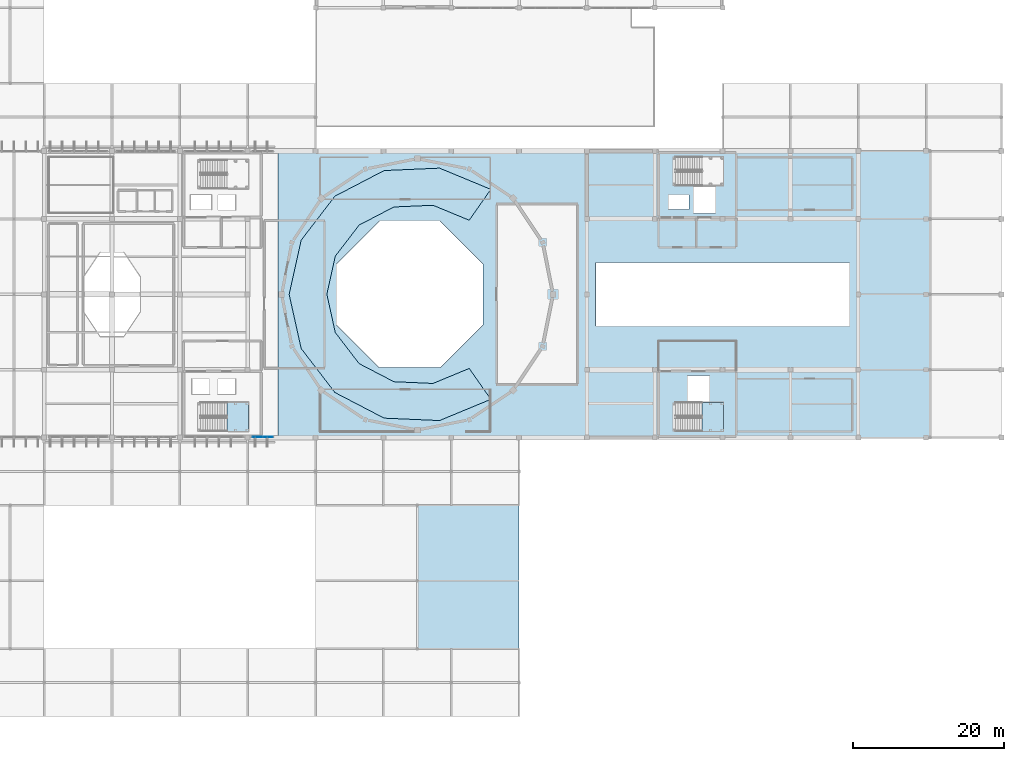
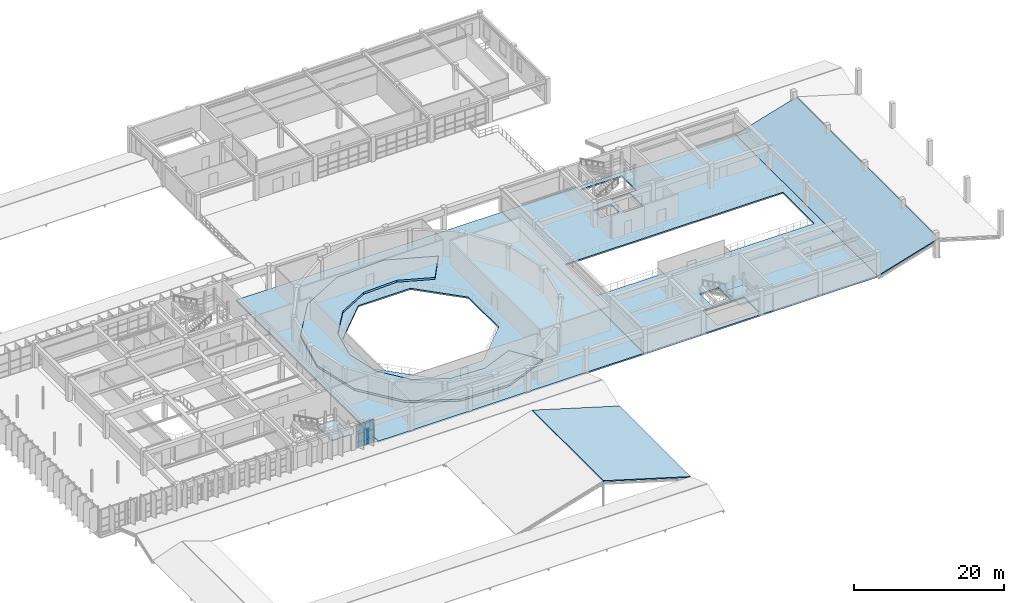
# One storey, part 62 of 80: 7 slabs, 6 plates, 3 elements without a shape of their own.
"""IFC4 building model written with IfcOpenShell, lengths in metres."""

from ifc_helpers import new_model, si_unit, direction, frame, origin, origin_2d, place, context, subcontext, project, spatial, polyline, rectangle, outline, extrude, material, layer, layer_set, type_object, element, aggregate, save


model = new_model("IFC4")

# Units and contexts
model_context = context("Model", 3, precision=1e-05, world=origin(), true_north=direction((0.0, 1.0)))
body_context = subcontext(model_context, "Body", "Model", "MODEL_VIEW")
ifc_project = project(units=[si_unit("LENGTHUNIT", "METRE"), si_unit("AREAUNIT", "SQUARE_METRE"), si_unit("VOLUMEUNIT", "CUBIC_METRE"), si_unit("PLANEANGLEUNIT", "RADIAN"), si_unit("MASSUNIT", "GRAM", prefix="KILO")], contexts=[model_context])

# Site, building, storey
site_placement = place(None, origin())
site = spatial("IfcSite", under=ifc_project, at=site_placement, CompositionType="ELEMENT")
building_placement = place(site_placement, origin())
building = spatial("IfcBuilding", under=site, at=building_placement, Name="Miravela Opera House", CompositionType="ELEMENT")
storey_placement = place(building_placement, frame((0.0, 0.0, 17.679931640625)))
storey = spatial("IfcBuildingStorey", under=building, at=storey_placement, Name="L04", CompositionType="ELEMENT", Elevation=17.679931640625)

# Curtain wall, plates
ifc_material_1 = material(Name="Anodised architectural bronze aluminium 6063-T6", Category="aluminium")
curtain_wall_type = type_object("IfcCurtainWallType", Name="ARC-CW-02", PredefinedType="NOTDEFINED", material=ifc_material_1)
curtain_wall_placement = place(storey_placement, origin())
curtain_wall = element("IfcCurtainWall", 1, at=curtain_wall_placement, inside=storey, type_object=curtain_wall_type, Name="Auditorium South Wrapper Glazing CW-L04-046", PredefinedType="NOTDEFINED")
ifc_material_2 = material(Name="Triple-glazed acoustic laminated low-E glass", Category="glass")
ifc_layer_1 = layer(ifc_material_2, 0.035888671875)
ifc_layer_set_1 = layer_set([ifc_layer_1])
plate_type = type_object("IfcPlateType", Name="ARC-CWP-36", PredefinedType="CURTAIN_PANEL", material=ifc_layer_set_1)
plate_1_placement = place(storey_placement, frame((55.30615234375, 37.080078125, 0.06494140625), z_axis=(0.0, 0.0, 1.0), x_axis=(1.0, 0.0, 0.0)))
plate_1 = element("IfcPlate", 2, at=plate_1_placement, type_object=plate_type, Name="CW-02 panel 1.1", PredefinedType="CURTAIN_PANEL", context=body_context, shape_type="SweptSolid", body=[
    extrude(rectangle(XDim=1.322509765625, YDim=0.035888671875, at=origin_2d()), origin(), (0.0, 0.0, 1.0), 0.8525390625),
])
plate_2_placement = place(storey_placement, frame((55.30615234375, 37.080078125, 0.982421875), z_axis=(0.0, 0.0, 1.0), x_axis=(1.0, 0.0, 0.0)))
plate_2 = element("IfcPlate", 3, at=plate_2_placement, type_object=plate_type, Name="CW-02 panel 1.2", PredefinedType="CURTAIN_PANEL", context=body_context, shape_type="SweptSolid", body=[
    extrude(rectangle(XDim=1.322509765625, YDim=0.035888671875, at=origin_2d()), origin(), (0.0, 0.0, 1.0), 1.20068359375),
])
plate_3_placement = place(storey_placement, frame((55.30615234375, 37.080078125, 2.248291015625), z_axis=(0.0, 0.0, 1.0), x_axis=(1.0, 0.0, 0.0)))
plate_3 = element("IfcPlate", 4, at=plate_3_placement, type_object=plate_type, Name="CW-02 panel 1.3", PredefinedType="CURTAIN_PANEL", context=body_context, shape_type="SweptSolid", body=[
    extrude(rectangle(XDim=1.322509765625, YDim=0.035888671875, at=origin_2d()), origin(), (0.0, 0.0, 1.0), 1.5068359375),
])
plate_4_placement = place(storey_placement, frame((56.69384765625, 37.080078125, 0.06494140625), z_axis=(0.0, 0.0, 1.0), x_axis=(1.0, 0.0, 0.0)))
plate_4 = element("IfcPlate", 5, at=plate_4_placement, type_object=plate_type, Name="CW-02 panel 2.1", PredefinedType="CURTAIN_PANEL", context=body_context, shape_type="SweptSolid", body=[
    extrude(rectangle(XDim=1.322509765625, YDim=0.035888671875, at=origin_2d()), origin(), (0.0, 0.0, 1.0), 0.8525390625),
])
plate_5_placement = place(storey_placement, frame((56.69384765625, 37.080078125, 0.982421875), z_axis=(0.0, 0.0, 1.0), x_axis=(1.0, 0.0, 0.0)))
plate_5 = element("IfcPlate", 6, at=plate_5_placement, type_object=plate_type, Name="CW-02 panel 2.2", PredefinedType="CURTAIN_PANEL", context=body_context, shape_type="SweptSolid", body=[
    extrude(rectangle(XDim=1.322509765625, YDim=0.035888671875, at=origin_2d()), origin(), (0.0, 0.0, 1.0), 1.20068359375),
])
plate_6_placement = place(storey_placement, frame((56.69384765625, 37.080078125, 2.248291015625), z_axis=(0.0, 0.0, 1.0), x_axis=(1.0, 0.0, 0.0)))
plate_6 = element("IfcPlate", 7, at=plate_6_placement, type_object=plate_type, Name="CW-02 panel 2.3", PredefinedType="CURTAIN_PANEL", context=body_context, shape_type="SweptSolid", body=[
    extrude(rectangle(XDim=1.322509765625, YDim=0.035888671875, at=origin_2d()), origin(), (0.0, 0.0, 1.0), 1.5068359375),
])
aggregate(curtain_wall, [plate_1, plate_2, plate_3, plate_4, plate_5, plate_6])

# Stair, slab
ifc_material_3 = material(Name="Concrete C35/45", Category="concrete")
stair_type = type_object("IfcStairType", Name="ARC-STAIR-CORE-1680", PredefinedType="HALF_TURN_STAIR", material=ifc_material_3)
stair_1_placement = place(storey_placement, origin())
stair_1 = element("IfcStair", 8, at=stair_1_placement, inside=storey, type_object=stair_type, Name="L04 Core K2 South Foyer Core Exit Stair ST-02", PredefinedType="HALF_TURN_STAIR")
ifc_layer_2 = layer(ifc_material_3, 0.199951171875)
ifc_layer_set_2 = layer_set([ifc_layer_2])
slab_type_1 = type_object("IfcSlabType", Name="ARC-LANDING-200", PredefinedType="LANDING", material=ifc_layer_set_2)
slab_1_placement = place(storey_placement, frame((0.0, 0.0, 1.840087890625)))
slab_1 = element("IfcSlab", 9, at=slab_1_placement, type_object=slab_type_1, Name="ST-02 landing 1", PredefinedType="LANDING", context=body_context, shape_type="SweptSolid", body=[
    extrude(outline(polyline([(51.260009765625, 37.800048828125), (54.10009765625, 37.800048828125), (54.10009765625, 41.679931640625), (51.260009765625, 41.679931640625), (51.260009765625, 37.800048828125)])), origin(), (0.0, 0.0, 1.0), 0.199951171875),
])
aggregate(stair_1, [slab_1])

stair_2_placement = place(storey_placement, origin())
stair_2 = element("IfcStair", 10, at=stair_2_placement, inside=storey, type_object=stair_type, Name="L04 Core K4 South Stage Core Exit Stair ST-04", PredefinedType="HALF_TURN_STAIR")
slab_2_placement = place(storey_placement, frame((0.0, 0.0, 1.840087890625)))
slab_2 = element("IfcSlab", 11, at=slab_2_placement, type_object=slab_type_1, Name="ST-04 landing 1", PredefinedType="LANDING", context=body_context, shape_type="SweptSolid", body=[
    extrude(outline(polyline([(114.260009765625, 37.800048828125), (117.10009765625, 37.800048828125), (117.10009765625, 41.679931640625), (114.260009765625, 41.679931640625), (114.260009765625, 37.800048828125)])), origin(), (0.0, 0.0, 1.0), 0.199951171875),
])
aggregate(stair_2, [slab_2])

# Slabs
ifc_layer_3 = layer(ifc_material_3, 0.169921875)
ifc_layer_set_3 = layer_set([ifc_layer_3])
slab_type_2 = type_object("IfcSlabType", Name="STR-ROOF-TILE-170", PredefinedType="ROOF", material=ifc_layer_set_3)
slab_3_placement = place(storey_placement, frame((90.0, 28.0, 0.0), z_axis=(0.287343098609, 0.0, 0.957827721295), x_axis=(0.0, -1.0, 0.0)))
element("IfcSlab", 12, at=slab_3_placement, inside=storey, type_object=slab_type_2, Name="Pitched Clay Barrel-Tile Roof Slab ROOF-V4-MID Slope 2", PredefinedType="ROOF", context=body_context, shape_type="SweptSolid", body=[
    extrude(outline(polyline([(0.0, 0.0), (19.0, 0.0), (19.0, -14.0370424247006), (0.0, -14.0370424247006), (0.0, 0.0)])), origin(), (0.0, 0.0, -1.0), 0.169921875),
])
slab_4_placement = place(storey_placement, frame((135.0, 37.0, 0.0), z_axis=(-0.287345614156, 0.0, 0.957826966641), x_axis=(0.0, 1.0, 0.0)))
element("IfcSlab", 13, at=slab_4_placement, inside=storey, type_object=slab_type_2, Name="Pitched Clay Barrel-Tile Roof Slab ROOF-V2-REAR Slope 1", PredefinedType="ROOF", context=body_context, shape_type="SweptSolid", body=[
    extrude(outline(polyline([(0.0, 0.0), (38.0, 0.0), (38.0, -9.86093385164728), (0.0, -9.86093385164728), (0.0, 0.0)])), origin(), (0.0, 0.0, -1.0), 0.169921875),
])
ifc_layer_4 = layer(ifc_material_3, 0.239990234375)
ifc_layer_set_4 = layer_set([ifc_layer_4])
slab_type_3 = type_object("IfcSlabType", Name="STR-SLAB-FLR-240", PredefinedType="FLOOR", material=ifc_layer_set_4)
slab_5_placement = place(storey_placement, frame((0.0, 0.0, -0.239990234375)))
element("IfcSlab", 14, at=slab_5_placement, inside=storey, type_object=slab_type_3, Name="Level L04 Floor Slab SLAB-L04-V1E", PredefinedType="FLOOR", context=body_context, shape_type="SweptSolid", body=[
    extrude(outline(polyline([(58.0, 37.0), (99.0, 37.0), (99.0, 75.0), (58.0, 75.0), (58.0, 37.0)]), holes=[polyline([(85.20068359375, 60.018310546875), (79.518310546875, 65.70068359375), (71.481689453125, 65.70068359375), (65.79931640625, 60.018310546875), (65.79931640625, 51.981689453125), (71.481689453125, 46.29931640625), (79.518310546875, 46.29931640625), (85.20068359375, 51.981689453125), (85.20068359375, 60.018310546875)])]), origin(), (0.0, 0.0, 1.0), 0.239990234375),
])
slab_6_placement = place(storey_placement, frame((0.0, 0.0, -0.239990234375)))
element("IfcSlab", 15, at=slab_6_placement, inside=storey, type_object=slab_type_3, Name="Level L04 Floor Slab SLAB-L04-V2M", PredefinedType="FLOOR", context=body_context, shape_type="SweptSolid", body=[
    extrude(outline(polyline([(99.0, 37.0), (135.0, 37.0), (135.0, 75.0), (99.0, 75.0), (99.0, 37.0)]), holes=[polyline([(110.739990234375, 70.39990234375), (117.10009765625, 70.39990234375), (117.10009765625, 74.280029296875), (110.739990234375, 74.280029296875), (110.739990234375, 70.39990234375)]), polyline([(110.739990234375, 37.800048828125), (117.10009765625, 37.800048828125), (117.10009765625, 41.679931640625), (110.739990234375, 41.679931640625), (110.739990234375, 37.800048828125)]), polyline([(109.85009765625, 67.22509765625), (112.550048828125, 67.22509765625), (112.550048828125, 69.175048828125), (109.85009765625, 69.175048828125), (109.85009765625, 67.22509765625)]), polyline([(113.14990234375, 66.75), (116.050048828125, 66.75), (116.050048828125, 70.25), (113.14990234375, 70.25), (113.14990234375, 66.75)]), polyline([(112.35009765625, 41.75), (115.25, 41.75), (115.25, 45.25), (112.35009765625, 45.25), (112.35009765625, 41.75)]), polyline([(100.199951171875, 51.800048828125), (133.800048828125, 51.800048828125), (133.800048828125, 60.199951171875), (100.199951171875, 60.199951171875), (100.199951171875, 51.800048828125)])]), origin(), (0.0, 0.0, 1.0), 0.239990234375),
])
ifc_material_4 = material(Name="Precast concrete C40/50", Category="concrete")
ifc_layer_5 = layer(ifc_material_4, 0.219970703125)
ifc_layer_set_5 = layer_set([ifc_layer_5])
slab_type_4 = type_object("IfcSlabType", Name="STR-SLAB-TIER-220", PredefinedType="USERDEFINED", material=ifc_layer_set_5)
slab_7_placement = place(storey_placement, frame((0.0, 0.0, 0.02001953125)))
element("IfcSlab", 16, at=slab_7_placement, inside=storey, type_object=slab_type_4, Name="Stand Main Auditorium Horseshoe Tier 5 (L04)", ObjectType="SEATING TIER", PredefinedType="USERDEFINED", context=body_context, shape_type="SweptSolid", body=[
    extrude(outline(polyline([(86.250732421875, 69.925537109375), (79.451904296875, 72.74169921875), (72.10009765625, 72.420654296875), (65.572509765625, 69.022705078125), (61.0927734375, 63.1845703125), (59.5, 56.0), (61.0927734375, 48.8154296875), (65.572509765625, 42.977294921875), (72.10009765625, 39.579345703125), (79.451904296875, 39.25830078125), (86.250732421875, 42.074462890625), (83.3828125, 46.170166015625), (78.583740234375, 44.182373046875), (73.394287109375, 44.408935546875), (68.78662109375, 46.8076171875), (65.624267578125, 50.9287109375), (64.5, 56.0), (65.624267578125, 61.0712890625), (68.78662109375, 65.1923828125), (73.394287109375, 67.591064453125), (78.583740234375, 67.817626953125), (83.3828125, 65.829833984375), (86.250732421875, 69.925537109375)])), origin(), (0.0, 0.0, 1.0), 0.320068359375),
])

save(model, "model.ifc")
